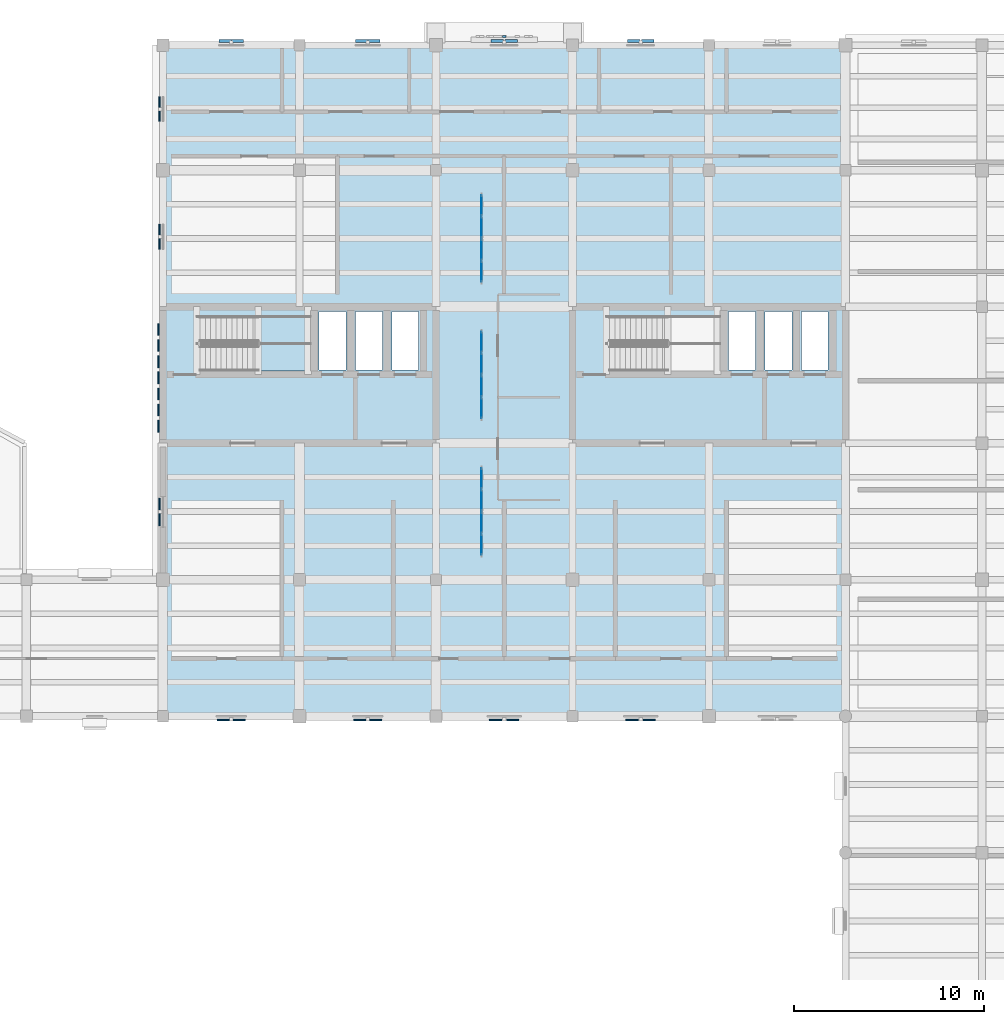
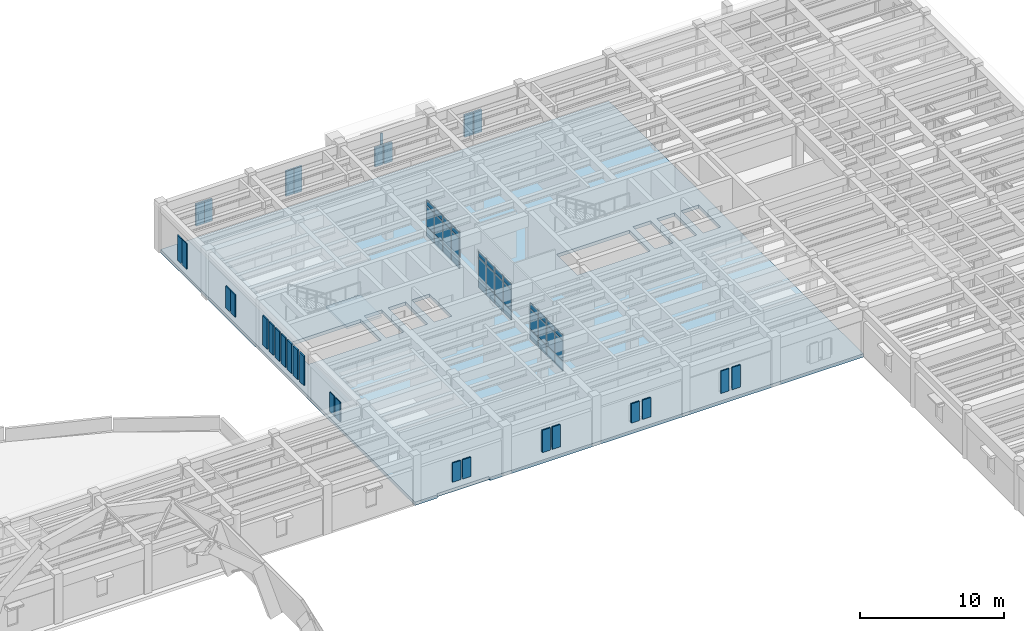
# One storey, part 30 of 66: 66 plates, 2 slabs, 4 elements without a shape of their own.
"""IFC4 building model written with IfcOpenShell, lengths in metres."""

from ifc_helpers import new_model, si_unit, direction, frame, origin, origin_2d, place, context, subcontext, project, spatial, polyline, rectangle, outline, extrude, material, layer, layer_set, type_object, element, aggregate, save


model = new_model("IFC4")

# Units and contexts
model_context = context("Model", 3, precision=1e-05, world=origin(), true_north=direction((0.0, 1.0)))
body_context = subcontext(model_context, "Body", "Model", "MODEL_VIEW")
ifc_project = project(units=[si_unit("LENGTHUNIT", "METRE"), si_unit("AREAUNIT", "SQUARE_METRE"), si_unit("VOLUMEUNIT", "CUBIC_METRE"), si_unit("PLANEANGLEUNIT", "RADIAN"), si_unit("MASSUNIT", "GRAM", prefix="KILO")], contexts=[model_context])

# Site, building, storey
site_placement = place(None, origin())
site = spatial("IfcSite", under=ifc_project, at=site_placement, CompositionType="ELEMENT")
building_placement = place(site_placement, origin())
building = spatial("IfcBuilding", under=site, at=building_placement, Name="Mithqara Police Headquarters", CompositionType="ELEMENT")
storey_placement = place(building_placement, frame((0.0, 0.0, 9.60009765625)))
storey = spatial("IfcBuildingStorey", under=building, at=storey_placement, Name="L02", CompositionType="ELEMENT", Elevation=9.60009765625)

# Curtain wall, plates
ifc_material_1 = material(Name="Bronze anodised aluminium 6063-T6", Category="aluminium")
curtain_wall_type = type_object("IfcCurtainWallType", Name="CURTAIN WALL 4700X3220", PredefinedType="USERDEFINED", material=ifc_material_1)
curtain_wall_1_placement = place(storey_placement, origin())
curtain_wall_1 = element("IfcCurtainWall", 1, at=curtain_wall_1_placement, inside=storey, type_object=curtain_wall_type, Name="L02 Unitised Glazing CW-16 (CW-INT-L02-X17-Y12-0)", ObjectType="UNITISED GLAZING", PredefinedType="USERDEFINED")
ifc_material_2 = material(Name="Spectrally selective double low-e glass", Category="glass")
ifc_layer_1 = layer(ifc_material_2, 0.028076171875, Name="Spectrally selective double low-e glass")
ifc_layer_set_1 = layer_set([ifc_layer_1], Name="Spectrally selective double low-e glass")
plate_type_1 = type_object("IfcPlateType", Name="CWPANEL GLASS28", PredefinedType="CURTAIN_PANEL", material=ifc_layer_set_1)
plate_1_placement = place(storey_placement, frame((125.39990234375, 87.65625, 0.074951171875), z_axis=(0.0, 0.0, 1.0), x_axis=(0.0, 1.0, 0.0)))
plate_1 = element("IfcPlate", 2, at=plate_1_placement, type_object=plate_type_1, Name="CW-16 panel 1.1", PredefinedType="CURTAIN_PANEL", context=body_context, shape_type="SweptSolid", body=[
    extrude(rectangle(XDim=1.0625, YDim=0.028076171875, at=origin_2d()), origin(), (0.0, 0.0, 1.0), 0.78759765625),
])
plate_2_placement = place(storey_placement, frame((125.39990234375, 87.65625, 0.9375), z_axis=(0.0, 0.0, 1.0), x_axis=(0.0, 1.0, 0.0)))
plate_2 = element("IfcPlate", 3, at=plate_2_placement, type_object=plate_type_1, Name="CW-16 panel 1.2", PredefinedType="CURTAIN_PANEL", context=body_context, shape_type="SweptSolid", body=[
    extrude(rectangle(XDim=1.0625, YDim=0.028076171875, at=origin_2d()), origin(), (0.0, 0.0, 1.0), 1.695068359375),
])
plate_3_placement = place(storey_placement, frame((125.39990234375, 87.65625, 2.70751953125), z_axis=(0.0, 0.0, 1.0), x_axis=(0.0, 1.0, 0.0)))
plate_3 = element("IfcPlate", 4, at=plate_3_placement, type_object=plate_type_1, Name="CW-16 panel 1.3", PredefinedType="CURTAIN_PANEL", context=body_context, shape_type="SweptSolid", body=[
    extrude(rectangle(XDim=1.0625, YDim=0.028076171875, at=origin_2d()), origin(), (0.0, 0.0, 1.0), 0.4375),
])
plate_4_placement = place(storey_placement, frame((125.39990234375, 88.8125, 0.074951171875), z_axis=(0.0, 0.0, 1.0), x_axis=(0.0, 1.0, 0.0)))
plate_4 = element("IfcPlate", 5, at=plate_4_placement, type_object=plate_type_1, Name="CW-16 panel 2.1", PredefinedType="CURTAIN_PANEL", context=body_context, shape_type="SweptSolid", body=[
    extrude(rectangle(XDim=1.10009765625, YDim=0.028076171875, at=origin_2d()), origin(), (0.0, 0.0, 1.0), 0.78759765625),
])
plate_5_placement = place(storey_placement, frame((125.39990234375, 88.8125, 0.9375), z_axis=(0.0, 0.0, 1.0), x_axis=(0.0, 1.0, 0.0)))
plate_5 = element("IfcPlate", 6, at=plate_5_placement, type_object=plate_type_1, Name="CW-16 panel 2.2", PredefinedType="CURTAIN_PANEL", context=body_context, shape_type="SweptSolid", body=[
    extrude(rectangle(XDim=1.10009765625, YDim=0.028076171875, at=origin_2d()), origin(), (0.0, 0.0, 1.0), 1.695068359375),
])
plate_6_placement = place(storey_placement, frame((125.39990234375, 88.8125, 2.70751953125), z_axis=(0.0, 0.0, 1.0), x_axis=(0.0, 1.0, 0.0)))
plate_6 = element("IfcPlate", 7, at=plate_6_placement, type_object=plate_type_1, Name="CW-16 panel 2.3", PredefinedType="CURTAIN_PANEL", context=body_context, shape_type="SweptSolid", body=[
    extrude(rectangle(XDim=1.10009765625, YDim=0.028076171875, at=origin_2d()), origin(), (0.0, 0.0, 1.0), 0.4375),
])
plate_7_placement = place(storey_placement, frame((125.39990234375, 89.987548828125, 0.074951171875), z_axis=(0.0, 0.0, 1.0), x_axis=(0.0, 1.0, 0.0)))
plate_7 = element("IfcPlate", 8, at=plate_7_placement, type_object=plate_type_1, Name="CW-16 panel 3.1", PredefinedType="CURTAIN_PANEL", context=body_context, shape_type="SweptSolid", body=[
    extrude(rectangle(XDim=1.10009765625, YDim=0.028076171875, at=origin_2d()), origin(), (0.0, 0.0, 1.0), 0.78759765625),
])
plate_8_placement = place(storey_placement, frame((125.39990234375, 89.987548828125, 0.9375), z_axis=(0.0, 0.0, 1.0), x_axis=(0.0, 1.0, 0.0)))
plate_8 = element("IfcPlate", 9, at=plate_8_placement, type_object=plate_type_1, Name="CW-16 panel 3.2", PredefinedType="CURTAIN_PANEL", context=body_context, shape_type="SweptSolid", body=[
    extrude(rectangle(XDim=1.10009765625, YDim=0.028076171875, at=origin_2d()), origin(), (0.0, 0.0, 1.0), 1.695068359375),
])
plate_9_placement = place(storey_placement, frame((125.39990234375, 89.987548828125, 2.70751953125), z_axis=(0.0, 0.0, 1.0), x_axis=(0.0, 1.0, 0.0)))
plate_9 = element("IfcPlate", 10, at=plate_9_placement, type_object=plate_type_1, Name="CW-16 panel 3.3", PredefinedType="CURTAIN_PANEL", context=body_context, shape_type="SweptSolid", body=[
    extrude(rectangle(XDim=1.10009765625, YDim=0.028076171875, at=origin_2d()), origin(), (0.0, 0.0, 1.0), 0.4375),
])
plate_10_placement = place(storey_placement, frame((125.39990234375, 91.143798828125, 0.074951171875), z_axis=(0.0, 0.0, 1.0), x_axis=(0.0, 1.0, 0.0)))
plate_10 = element("IfcPlate", 11, at=plate_10_placement, type_object=plate_type_1, Name="CW-16 panel 4.1", PredefinedType="CURTAIN_PANEL", context=body_context, shape_type="SweptSolid", body=[
    extrude(rectangle(XDim=1.0625, YDim=0.028076171875, at=origin_2d()), origin(), (0.0, 0.0, 1.0), 0.78759765625),
])
plate_11_placement = place(storey_placement, frame((125.39990234375, 91.143798828125, 0.9375), z_axis=(0.0, 0.0, 1.0), x_axis=(0.0, 1.0, 0.0)))
plate_11 = element("IfcPlate", 12, at=plate_11_placement, type_object=plate_type_1, Name="CW-16 panel 4.2", PredefinedType="CURTAIN_PANEL", context=body_context, shape_type="SweptSolid", body=[
    extrude(rectangle(XDim=1.0625, YDim=0.028076171875, at=origin_2d()), origin(), (0.0, 0.0, 1.0), 1.695068359375),
])
plate_12_placement = place(storey_placement, frame((125.39990234375, 91.143798828125, 2.70751953125), z_axis=(0.0, 0.0, 1.0), x_axis=(0.0, 1.0, 0.0)))
plate_12 = element("IfcPlate", 13, at=plate_12_placement, type_object=plate_type_1, Name="CW-16 panel 4.3", PredefinedType="CURTAIN_PANEL", context=body_context, shape_type="SweptSolid", body=[
    extrude(rectangle(XDim=1.0625, YDim=0.028076171875, at=origin_2d()), origin(), (0.0, 0.0, 1.0), 0.4375),
])
aggregate(curtain_wall_1, [plate_1, plate_2, plate_3, plate_4, plate_5, plate_6, plate_7, plate_8, plate_9, plate_10, plate_11, plate_12])

curtain_wall_2_placement = place(storey_placement, origin())
curtain_wall_2 = element("IfcCurtainWall", 14, at=curtain_wall_2_placement, inside=storey, type_object=curtain_wall_type, Name="L02 Unitised Glazing CW-16 (CW-INT-L02-X17-Y13-0)", ObjectType="UNITISED GLAZING", PredefinedType="USERDEFINED")
plate_13_placement = place(storey_placement, frame((125.39990234375, 94.856201171875, 0.074951171875), z_axis=(0.0, 0.0, 1.0), x_axis=(0.0, 1.0, 0.0)))
plate_13 = element("IfcPlate", 15, at=plate_13_placement, type_object=plate_type_1, Name="CW-16 panel 1.1", PredefinedType="CURTAIN_PANEL", context=body_context, shape_type="SweptSolid", body=[
    extrude(rectangle(XDim=1.0625, YDim=0.028076171875, at=origin_2d()), origin(), (0.0, 0.0, 1.0), 0.78759765625),
])
plate_14_placement = place(storey_placement, frame((125.39990234375, 94.856201171875, 0.9375), z_axis=(0.0, 0.0, 1.0), x_axis=(0.0, 1.0, 0.0)))
plate_14 = element("IfcPlate", 16, at=plate_14_placement, type_object=plate_type_1, Name="CW-16 panel 1.2", PredefinedType="CURTAIN_PANEL", context=body_context, shape_type="SweptSolid", body=[
    extrude(rectangle(XDim=1.0625, YDim=0.028076171875, at=origin_2d()), origin(), (0.0, 0.0, 1.0), 1.695068359375),
])
plate_15_placement = place(storey_placement, frame((125.39990234375, 94.856201171875, 2.70751953125), z_axis=(0.0, 0.0, 1.0), x_axis=(0.0, 1.0, 0.0)))
plate_15 = element("IfcPlate", 17, at=plate_15_placement, type_object=plate_type_1, Name="CW-16 panel 1.3", PredefinedType="CURTAIN_PANEL", context=body_context, shape_type="SweptSolid", body=[
    extrude(rectangle(XDim=1.0625, YDim=0.028076171875, at=origin_2d()), origin(), (0.0, 0.0, 1.0), 0.4375),
])
plate_16_placement = place(storey_placement, frame((125.39990234375, 96.012451171875, 0.074951171875), z_axis=(0.0, 0.0, 1.0), x_axis=(0.0, 1.0, 0.0)))
plate_16 = element("IfcPlate", 18, at=plate_16_placement, type_object=plate_type_1, Name="CW-16 panel 2.1", PredefinedType="CURTAIN_PANEL", context=body_context, shape_type="SweptSolid", body=[
    extrude(rectangle(XDim=1.10009765625, YDim=0.028076171875, at=origin_2d()), origin(), (0.0, 0.0, 1.0), 0.78759765625),
])
plate_17_placement = place(storey_placement, frame((125.39990234375, 96.012451171875, 0.9375), z_axis=(0.0, 0.0, 1.0), x_axis=(0.0, 1.0, 0.0)))
plate_17 = element("IfcPlate", 19, at=plate_17_placement, type_object=plate_type_1, Name="CW-16 panel 2.2", PredefinedType="CURTAIN_PANEL", context=body_context, shape_type="SweptSolid", body=[
    extrude(rectangle(XDim=1.10009765625, YDim=0.028076171875, at=origin_2d()), origin(), (0.0, 0.0, 1.0), 1.695068359375),
])
plate_18_placement = place(storey_placement, frame((125.39990234375, 96.012451171875, 2.70751953125), z_axis=(0.0, 0.0, 1.0), x_axis=(0.0, 1.0, 0.0)))
plate_18 = element("IfcPlate", 20, at=plate_18_placement, type_object=plate_type_1, Name="CW-16 panel 2.3", PredefinedType="CURTAIN_PANEL", context=body_context, shape_type="SweptSolid", body=[
    extrude(rectangle(XDim=1.10009765625, YDim=0.028076171875, at=origin_2d()), origin(), (0.0, 0.0, 1.0), 0.4375),
])
plate_19_placement = place(storey_placement, frame((125.39990234375, 97.1875, 0.074951171875), z_axis=(0.0, 0.0, 1.0), x_axis=(0.0, 1.0, 0.0)))
plate_19 = element("IfcPlate", 21, at=plate_19_placement, type_object=plate_type_1, Name="CW-16 panel 3.1", PredefinedType="CURTAIN_PANEL", context=body_context, shape_type="SweptSolid", body=[
    extrude(rectangle(XDim=1.10009765625, YDim=0.028076171875, at=origin_2d()), origin(), (0.0, 0.0, 1.0), 0.78759765625),
])
plate_20_placement = place(storey_placement, frame((125.39990234375, 97.1875, 0.9375), z_axis=(0.0, 0.0, 1.0), x_axis=(0.0, 1.0, 0.0)))
plate_20 = element("IfcPlate", 22, at=plate_20_placement, type_object=plate_type_1, Name="CW-16 panel 3.2", PredefinedType="CURTAIN_PANEL", context=body_context, shape_type="SweptSolid", body=[
    extrude(rectangle(XDim=1.10009765625, YDim=0.028076171875, at=origin_2d()), origin(), (0.0, 0.0, 1.0), 1.695068359375),
])
plate_21_placement = place(storey_placement, frame((125.39990234375, 97.1875, 2.70751953125), z_axis=(0.0, 0.0, 1.0), x_axis=(0.0, 1.0, 0.0)))
plate_21 = element("IfcPlate", 23, at=plate_21_placement, type_object=plate_type_1, Name="CW-16 panel 3.3", PredefinedType="CURTAIN_PANEL", context=body_context, shape_type="SweptSolid", body=[
    extrude(rectangle(XDim=1.10009765625, YDim=0.028076171875, at=origin_2d()), origin(), (0.0, 0.0, 1.0), 0.4375),
])
plate_22_placement = place(storey_placement, frame((125.39990234375, 98.34375, 0.074951171875), z_axis=(0.0, 0.0, 1.0), x_axis=(0.0, 1.0, 0.0)))
plate_22 = element("IfcPlate", 24, at=plate_22_placement, type_object=plate_type_1, Name="CW-16 panel 4.1", PredefinedType="CURTAIN_PANEL", context=body_context, shape_type="SweptSolid", body=[
    extrude(rectangle(XDim=1.0625, YDim=0.028076171875, at=origin_2d()), origin(), (0.0, 0.0, 1.0), 0.78759765625),
])
plate_23_placement = place(storey_placement, frame((125.39990234375, 98.34375, 0.9375), z_axis=(0.0, 0.0, 1.0), x_axis=(0.0, 1.0, 0.0)))
plate_23 = element("IfcPlate", 25, at=plate_23_placement, type_object=plate_type_1, Name="CW-16 panel 4.2", PredefinedType="CURTAIN_PANEL", context=body_context, shape_type="SweptSolid", body=[
    extrude(rectangle(XDim=1.0625, YDim=0.028076171875, at=origin_2d()), origin(), (0.0, 0.0, 1.0), 1.695068359375),
])
plate_24_placement = place(storey_placement, frame((125.39990234375, 98.34375, 2.70751953125), z_axis=(0.0, 0.0, 1.0), x_axis=(0.0, 1.0, 0.0)))
plate_24 = element("IfcPlate", 26, at=plate_24_placement, type_object=plate_type_1, Name="CW-16 panel 4.3", PredefinedType="CURTAIN_PANEL", context=body_context, shape_type="SweptSolid", body=[
    extrude(rectangle(XDim=1.0625, YDim=0.028076171875, at=origin_2d()), origin(), (0.0, 0.0, 1.0), 0.4375),
])
aggregate(curtain_wall_2, [plate_13, plate_14, plate_15, plate_16, plate_17, plate_18, plate_19, plate_20, plate_21, plate_22, plate_23, plate_24])

curtain_wall_3_placement = place(storey_placement, origin())
curtain_wall_3 = element("IfcCurtainWall", 27, at=curtain_wall_3_placement, inside=storey, type_object=curtain_wall_type, Name="L02 Unitised Glazing CW-16 (CW-INT-L02-X17-Y14-0)", ObjectType="UNITISED GLAZING", PredefinedType="USERDEFINED")
ifc_material_3 = material(Name="Insulated bronze aluminium spandrel panel", Category="aluminium")
ifc_layer_2 = layer(ifc_material_3, 0.048095703125, Name="Insulated bronze aluminium spandrel panel")
ifc_layer_set_2 = layer_set([ifc_layer_2], Name="Insulated bronze aluminium spandrel panel")
plate_type_2 = type_object("IfcPlateType", Name="CWPANEL SPANDREL48", PredefinedType="CURTAIN_PANEL", material=ifc_layer_set_2)
plate_25_placement = place(storey_placement, frame((125.39990234375, 102.05615234375, 0.074951171875), z_axis=(0.0, 0.0, 1.0), x_axis=(0.0, 1.0, 0.0)))
plate_25 = element("IfcPlate", 28, at=plate_25_placement, type_object=plate_type_2, Name="CW-16 panel 1.1", PredefinedType="CURTAIN_PANEL", context=body_context, shape_type="SweptSolid", body=[
    extrude(rectangle(XDim=1.0625, YDim=0.048095703125, at=origin_2d()), origin(), (0.0, 0.0, 1.0), 0.78759765625),
])
plate_26_placement = place(storey_placement, frame((125.39990234375, 102.05615234375, 0.9375), z_axis=(0.0, 0.0, 1.0), x_axis=(0.0, 1.0, 0.0)))
plate_26 = element("IfcPlate", 29, at=plate_26_placement, type_object=plate_type_2, Name="CW-16 panel 1.2", PredefinedType="CURTAIN_PANEL", context=body_context, shape_type="SweptSolid", body=[
    extrude(rectangle(XDim=1.0625, YDim=0.048095703125, at=origin_2d()), origin(), (0.0, 0.0, 1.0), 1.695068359375),
])
plate_27_placement = place(storey_placement, frame((125.39990234375, 102.05615234375, 2.70751953125), z_axis=(0.0, 0.0, 1.0), x_axis=(0.0, 1.0, 0.0)))
plate_27 = element("IfcPlate", 30, at=plate_27_placement, type_object=plate_type_2, Name="CW-16 panel 1.3", PredefinedType="CURTAIN_PANEL", context=body_context, shape_type="SweptSolid", body=[
    extrude(rectangle(XDim=1.0625, YDim=0.048095703125, at=origin_2d()), origin(), (0.0, 0.0, 1.0), 0.4375),
])
plate_28_placement = place(storey_placement, frame((125.39990234375, 103.21240234375, 0.074951171875), z_axis=(0.0, 0.0, 1.0), x_axis=(0.0, 1.0, 0.0)))
plate_28 = element("IfcPlate", 31, at=plate_28_placement, type_object=plate_type_2, Name="CW-16 panel 2.1", PredefinedType="CURTAIN_PANEL", context=body_context, shape_type="SweptSolid", body=[
    extrude(rectangle(XDim=1.10009765625, YDim=0.048095703125, at=origin_2d()), origin(), (0.0, 0.0, 1.0), 0.78759765625),
])
plate_29_placement = place(storey_placement, frame((125.39990234375, 103.21240234375, 0.9375), z_axis=(0.0, 0.0, 1.0), x_axis=(0.0, 1.0, 0.0)))
plate_29 = element("IfcPlate", 32, at=plate_29_placement, type_object=plate_type_2, Name="CW-16 panel 2.2", PredefinedType="CURTAIN_PANEL", context=body_context, shape_type="SweptSolid", body=[
    extrude(rectangle(XDim=1.10009765625, YDim=0.048095703125, at=origin_2d()), origin(), (0.0, 0.0, 1.0), 1.695068359375),
])
plate_30_placement = place(storey_placement, frame((125.39990234375, 103.21240234375, 2.70751953125), z_axis=(0.0, 0.0, 1.0), x_axis=(0.0, 1.0, 0.0)))
plate_30 = element("IfcPlate", 33, at=plate_30_placement, type_object=plate_type_2, Name="CW-16 panel 2.3", PredefinedType="CURTAIN_PANEL", context=body_context, shape_type="SweptSolid", body=[
    extrude(rectangle(XDim=1.10009765625, YDim=0.048095703125, at=origin_2d()), origin(), (0.0, 0.0, 1.0), 0.4375),
])
plate_31_placement = place(storey_placement, frame((125.39990234375, 104.387451171875, 0.074951171875), z_axis=(0.0, 0.0, 1.0), x_axis=(0.0, 1.0, 0.0)))
plate_31 = element("IfcPlate", 34, at=plate_31_placement, type_object=plate_type_2, Name="CW-16 panel 3.1", PredefinedType="CURTAIN_PANEL", context=body_context, shape_type="SweptSolid", body=[
    extrude(rectangle(XDim=1.10009765625, YDim=0.048095703125, at=origin_2d()), origin(), (0.0, 0.0, 1.0), 0.78759765625),
])
plate_32_placement = place(storey_placement, frame((125.39990234375, 104.387451171875, 0.9375), z_axis=(0.0, 0.0, 1.0), x_axis=(0.0, 1.0, 0.0)))
plate_32 = element("IfcPlate", 35, at=plate_32_placement, type_object=plate_type_2, Name="CW-16 panel 3.2", PredefinedType="CURTAIN_PANEL", context=body_context, shape_type="SweptSolid", body=[
    extrude(rectangle(XDim=1.10009765625, YDim=0.048095703125, at=origin_2d()), origin(), (0.0, 0.0, 1.0), 1.695068359375),
])
plate_33_placement = place(storey_placement, frame((125.39990234375, 104.387451171875, 2.70751953125), z_axis=(0.0, 0.0, 1.0), x_axis=(0.0, 1.0, 0.0)))
plate_33 = element("IfcPlate", 36, at=plate_33_placement, type_object=plate_type_2, Name="CW-16 panel 3.3", PredefinedType="CURTAIN_PANEL", context=body_context, shape_type="SweptSolid", body=[
    extrude(rectangle(XDim=1.10009765625, YDim=0.048095703125, at=origin_2d()), origin(), (0.0, 0.0, 1.0), 0.4375),
])
plate_34_placement = place(storey_placement, frame((125.39990234375, 105.543701171875, 0.074951171875), z_axis=(0.0, 0.0, 1.0), x_axis=(0.0, 1.0, 0.0)))
plate_34 = element("IfcPlate", 37, at=plate_34_placement, type_object=plate_type_2, Name="CW-16 panel 4.1", PredefinedType="CURTAIN_PANEL", context=body_context, shape_type="SweptSolid", body=[
    extrude(rectangle(XDim=1.0625, YDim=0.048095703125, at=origin_2d()), origin(), (0.0, 0.0, 1.0), 0.78759765625),
])
plate_35_placement = place(storey_placement, frame((125.39990234375, 105.543701171875, 0.9375), z_axis=(0.0, 0.0, 1.0), x_axis=(0.0, 1.0, 0.0)))
plate_35 = element("IfcPlate", 38, at=plate_35_placement, type_object=plate_type_2, Name="CW-16 panel 4.2", PredefinedType="CURTAIN_PANEL", context=body_context, shape_type="SweptSolid", body=[
    extrude(rectangle(XDim=1.0625, YDim=0.048095703125, at=origin_2d()), origin(), (0.0, 0.0, 1.0), 1.695068359375),
])
plate_36_placement = place(storey_placement, frame((125.39990234375, 105.543701171875, 2.70751953125), z_axis=(0.0, 0.0, 1.0), x_axis=(0.0, 1.0, 0.0)))
plate_36 = element("IfcPlate", 39, at=plate_36_placement, type_object=plate_type_2, Name="CW-16 panel 4.3", PredefinedType="CURTAIN_PANEL", context=body_context, shape_type="SweptSolid", body=[
    extrude(rectangle(XDim=1.0625, YDim=0.048095703125, at=origin_2d()), origin(), (0.0, 0.0, 1.0), 0.4375),
])
aggregate(curtain_wall_3, [plate_25, plate_26, plate_27, plate_28, plate_29, plate_30, plate_31, plate_32, plate_33, plate_34, plate_35, plate_36])

# Slab
ifc_material_4 = material(Name="Concrete C40/50", Category="concrete")
ifc_layer_3 = layer(ifc_material_4, 0.280029296875, Name="Concrete C40/50")
ifc_layer_set_3 = layer_set([ifc_layer_3], Name="Concrete C40/50")
slab_type_1 = type_object("IfcSlabType", Name="FLOOR SLAB 280", PredefinedType="FLOOR", material=ifc_layer_set_3)
slab_1_placement = place(storey_placement, frame((0.0, 0.0, -0.280029296875)))
element("IfcSlab", 40, at=slab_1_placement, inside=storey, type_object=slab_type_1, Name="L02 Structural Slab L02-V1A", PredefinedType="FLOOR", context=body_context, shape_type="SweptSolid", body=[
    extrude(outline(polyline([(108.60009765625, 114.0), (144.60009765625, 114.0), (144.60009765625, 78.60009765625), (114.60009765625, 78.60009765625), (114.60009765625, 78.739990234375), (110.39990234375, 78.739990234375), (110.39990234375, 78.60009765625), (108.60009765625, 78.60009765625), (108.60009765625, 114.0)]), holes=[polyline([(110.550048828125, 96.800048828125), (116.39990234375, 96.800048828125), (116.39990234375, 99.699951171875), (110.550048828125, 99.699951171875), (110.550048828125, 96.800048828125)]), polyline([(132.14990234375, 96.800048828125), (138.0, 96.800048828125), (138.0, 99.699951171875), (132.14990234375, 99.699951171875), (132.14990234375, 96.800048828125)]), polyline([(118.25, 96.8701171875), (118.25, 99.949951171875), (116.830078125, 99.949951171875), (116.830078125, 96.8701171875), (118.25, 96.8701171875)]), polyline([(120.169921875, 96.8701171875), (120.169921875, 99.949951171875), (118.75, 99.949951171875), (118.75, 96.8701171875), (120.169921875, 96.8701171875)]), polyline([(122.090087890625, 96.8701171875), (122.090087890625, 99.949951171875), (120.669921875, 99.949951171875), (120.669921875, 96.8701171875), (122.090087890625, 96.8701171875)]), polyline([(139.85009765625, 96.8701171875), (139.85009765625, 99.949951171875), (138.429931640625, 99.949951171875), (138.429931640625, 96.8701171875), (139.85009765625, 96.8701171875)]), polyline([(141.77001953125, 96.8701171875), (141.77001953125, 99.949951171875), (140.35009765625, 99.949951171875), (140.35009765625, 96.8701171875), (141.77001953125, 96.8701171875)]), polyline([(143.68994140625, 96.8701171875), (143.68994140625, 99.949951171875), (142.27001953125, 99.949951171875), (142.27001953125, 96.8701171875), (143.68994140625, 96.8701171875)])]), origin(), (0.0, 0.0, 1.0), 0.280029296875),
])

# Stair, slab
stair_type = type_object("IfcStairType", Name="STAIR ST 01-R24", PredefinedType="HALF_TURN_STAIR", material=ifc_material_4)
stair_placement = place(storey_placement, origin())
stair = element("IfcStair", 41, at=stair_placement, inside=storey, type_object=stair_type, Name="L02 Core C1 Command West Exit Stair", PredefinedType="HALF_TURN_STAIR")
ifc_layer_4 = layer(ifc_material_4, 0.199951171875, Name="Concrete C40/50")
ifc_layer_set_4 = layer_set([ifc_layer_4], Name="Concrete C40/50")
slab_type_2 = type_object("IfcSlabType", Name="STAIR LANDING 200", PredefinedType="LANDING", material=ifc_layer_set_4)
slab_2_placement = place(storey_placement, frame((0.0, 0.0, 1.89990234375)))
slab_2 = element("IfcSlab", 42, at=slab_2_placement, type_object=slab_type_2, Name="ST-01 landing 1", PredefinedType="LANDING", context=body_context, shape_type="SweptSolid", body=[
    extrude(outline(polyline([(113.6298828125, 96.800048828125), (116.39990234375, 96.800048828125), (116.39990234375, 99.699951171875), (113.6298828125, 99.699951171875), (113.6298828125, 96.800048828125)])), origin(), (0.0, 0.0, 1.0), 0.199951171875),
])
aggregate(stair, [slab_2])

# Plates
ifc_material_5 = material(Name="Limestone ashlar masonry, 45 MPa", Category="masonry")
ifc_layer_5 = layer(ifc_material_5, 0.10009765625, Name="Limestone ashlar masonry, 45 MPa")
ifc_layer_set_5 = layer_set([ifc_layer_5], Name="Limestone ashlar masonry, 45 MPa")
plate_type_3 = type_object("IfcPlateType", Name="STONE SCREEN 100", PredefinedType="USERDEFINED", material=ifc_layer_set_5)
for number, where, z_axis, x_axis, name in (
    (43, (111.800048828125, 78.39990234375, 0.830078125), (0.0, 0.0, 1.0), (1.0, 0.0, 0.0), "L02 Pierced Limestone Vertical-Slit Panel 103"),
    (44, (112.60009765625, 78.39990234375, 0.830078125), (0.0, 0.0, 1.0), (1.0, 0.0, 0.0), "L02 Pierced Limestone Vertical-Slit Panel 104"),
):
    element("IfcPlate", number, at=place(storey_placement, frame(where, z_axis=z_axis, x_axis=x_axis)), inside=storey, type_object=plate_type_3, Name=name, ObjectType="STONE SCREEN", PredefinedType="USERDEFINED", context=body_context, shape_type="SweptSolid", body=[
        extrude(rectangle(XDim=0.656005859375, YDim=0.10009765625, at=origin_2d()), origin(), (0.0, 0.0, 1.0), 1.639892578125),
    ])
for number, where, z_axis, x_axis, name in (
    (45, (119.0, 78.39990234375, 0.830078125), (0.0, 0.0, 1.0), (1.0, 0.0, 0.0), "L02 Pierced Limestone Vertical-Slit Panel 105"),
    (46, (119.800048828125, 78.39990234375, 0.830078125), (0.0, 0.0, 1.0), (1.0, 0.0, 0.0), "L02 Pierced Limestone Vertical-Slit Panel 106"),
):
    element("IfcPlate", number, at=place(storey_placement, frame(where, z_axis=z_axis, x_axis=x_axis)), inside=storey, type_object=plate_type_3, Name=name, ObjectType="STONE SCREEN", PredefinedType="USERDEFINED", context=body_context, shape_type="SweptSolid", body=[
        extrude(rectangle(XDim=0.656005859375, YDim=0.10009765625, at=origin_2d()), origin(), (0.0, 0.0, 1.0), 1.889892578125),
    ])
for number, where, z_axis, x_axis, name in (
    (47, (126.14990234375, 78.39990234375, 0.830078125), (0.0, 0.0, 1.0), (1.0, 0.0, 0.0), "L02 Pierced Limestone Vertical-Slit Panel 107"),
    (48, (127.050048828125, 78.39990234375, 0.830078125), (0.0, 0.0, 1.0), (1.0, 0.0, 0.0), "L02 Pierced Limestone Vertical-Slit Panel 108"),
):
    element("IfcPlate", number, at=place(storey_placement, frame(where, z_axis=z_axis, x_axis=x_axis)), inside=storey, type_object=plate_type_3, Name=name, ObjectType="STONE SCREEN", PredefinedType="USERDEFINED", context=body_context, shape_type="SweptSolid", body=[
        extrude(rectangle(XDim=0.656005859375, YDim=0.10009765625, at=origin_2d()), origin(), (0.0, 0.0, 1.0), 1.639892578125),
    ])
for number, where, z_axis, x_axis, name in (
    (49, (133.35009765625, 78.39990234375, 0.830078125), (0.0, 0.0, 1.0), (1.0, 0.0, 0.0), "L02 Pierced Limestone Vertical-Slit Panel 109"),
    (50, (134.25, 78.39990234375, 0.830078125), (0.0, 0.0, 1.0), (1.0, 0.0, 0.0), "L02 Pierced Limestone Vertical-Slit Panel 110"),
):
    element("IfcPlate", number, at=place(storey_placement, frame(where, z_axis=z_axis, x_axis=x_axis)), inside=storey, type_object=plate_type_3, Name=name, ObjectType="STONE SCREEN", PredefinedType="USERDEFINED", context=body_context, shape_type="SweptSolid", body=[
        extrude(rectangle(XDim=0.656005859375, YDim=0.10009765625, at=origin_2d()), origin(), (0.0, 0.0, 1.0), 1.889892578125),
    ])
for number, where, z_axis, x_axis, name in (
    (51, (108.364990234375, 93.89990234375, 0.89990234375), (0.0, 0.0, 1.0), (0.0, 1.0, 0.0), "L02 Core C1 Pierced Vertical-Slit Screen 1"),
    (52, (108.364990234375, 94.75, 0.89990234375), (0.0, 0.0, 1.0), (0.0, 1.0, 0.0), "L02 Core C1 Pierced Vertical-Slit Screen 2"),
    (53, (108.364990234375, 95.60009765625, 0.89990234375), (0.0, 0.0, 1.0), (0.0, 1.0, 0.0), "L02 Core C1 Pierced Vertical-Slit Screen 3"),
    (54, (108.364990234375, 96.449951171875, 0.89990234375), (0.0, 0.0, 1.0), (0.0, 1.0, 0.0), "L02 Core C1 Pierced Vertical-Slit Screen 4"),
    (55, (108.364990234375, 97.300048828125, 0.89990234375), (0.0, 0.0, 1.0), (0.0, 1.0, 0.0), "L02 Core C1 Pierced Vertical-Slit Screen 5"),
    (56, (108.364990234375, 98.14990234375, 0.89990234375), (0.0, 0.0, 1.0), (0.0, 1.0, 0.0), "L02 Core C1 Pierced Vertical-Slit Screen 6"),
    (57, (108.364990234375, 99.0, 0.89990234375), (0.0, 0.0, 1.0), (0.0, 1.0, 0.0), "L02 Core C1 Pierced Vertical-Slit Screen 7"),
):
    element("IfcPlate", number, at=place(storey_placement, frame(where, z_axis=z_axis, x_axis=x_axis)), inside=storey, type_object=plate_type_3, Name=name, ObjectType="STONE SCREEN", PredefinedType="USERDEFINED", context=body_context, shape_type="SweptSolid", body=[
        extrude(rectangle(XDim=0.6201171875, YDim=0.10009765625, at=origin_2d()), origin(), (0.0, 0.0, 1.0), 2.5),
    ])
ifc_layer_6 = layer(ifc_material_5, 0.1201171875, Name="Limestone ashlar masonry, 45 MPa")
ifc_layer_set_6 = layer_set([ifc_layer_6], Name="Limestone ashlar masonry, 45 MPa")
plate_type_4 = type_object("IfcPlateType", Name="STONE SCREEN 120", PredefinedType="USERDEFINED", material=ifc_layer_set_6)
plate_37_placement = place(storey_placement, frame((126.60009765625, 114.4599609375, 2.054931640625), z_axis=(0.0, 0.0, 1.0), x_axis=(1.0, 0.0, 0.0)))
element("IfcPlate", 58, at=plate_37_placement, inside=storey, type_object=plate_type_4, Name="Portal Clock Minute Hand", ObjectType="STONE SCREEN", PredefinedType="USERDEFINED", context=body_context, shape_type="SweptSolid", body=[
    extrude(rectangle(XDim=0.179931640625, YDim=0.1201171875, at=origin_2d()), origin(), (0.0, 0.0, 1.0), 1.25),
])
ifc_layer_7 = layer(ifc_material_5, 0.139892578125, Name="Limestone ashlar masonry, 45 MPa")
ifc_layer_set_7 = layer_set([ifc_layer_7], Name="Limestone ashlar masonry, 45 MPa")
plate_type_5 = type_object("IfcPlateType", Name="STONE SCREEN 140", PredefinedType="USERDEFINED", material=ifc_layer_set_7)
for number, where, z_axis, x_axis, name in (
    (59, (112.52490234375, 114.219970703125, 0.830078125), (0.0, 0.0, 1.0), (1.0, 0.0, 0.0), "L02 Pierced Limestone Vertical-Slit Panel 87"),
    (60, (111.875, 114.219970703125, 0.830078125), (0.0, 0.0, 1.0), (1.0, 0.0, 0.0), "L02 Pierced Limestone Vertical-Slit Panel 88"),
):
    element("IfcPlate", number, at=place(storey_placement, frame(where, z_axis=z_axis, x_axis=x_axis)), inside=storey, type_object=plate_type_5, Name=name, ObjectType="STONE SCREEN", PredefinedType="USERDEFINED", context=body_context, shape_type="SweptSolid", body=[
        extrude(rectangle(XDim=0.656005859375, YDim=0.139892578125, at=origin_2d()), origin(), (0.0, 0.0, 1.0), 1.889892578125),
    ])
for number, where, z_axis, x_axis, name in (
    (61, (119.72509765625, 114.219970703125, 0.830078125), (0.0, 0.0, 1.0), (1.0, 0.0, 0.0), "L02 Pierced Limestone Vertical-Slit Panel 89"),
    (62, (119.074951171875, 114.219970703125, 0.830078125), (0.0, 0.0, 1.0), (1.0, 0.0, 0.0), "L02 Pierced Limestone Vertical-Slit Panel 90"),
):
    element("IfcPlate", number, at=place(storey_placement, frame(where, z_axis=z_axis, x_axis=x_axis)), inside=storey, type_object=plate_type_5, Name=name, ObjectType="STONE SCREEN", PredefinedType="USERDEFINED", context=body_context, shape_type="SweptSolid", body=[
        extrude(rectangle(XDim=0.656005859375, YDim=0.139892578125, at=origin_2d()), origin(), (0.0, 0.0, 1.0), 2.139892578125),
    ])
for number, where, z_axis, x_axis, name in (
    (63, (126.96240234375, 114.219970703125, 0.830078125), (0.0, 0.0, 1.0), (1.0, 0.0, 0.0), "L02 Pierced Limestone Vertical-Slit Panel 91"),
    (64, (126.237548828125, 114.219970703125, 0.830078125), (0.0, 0.0, 1.0), (1.0, 0.0, 0.0), "L02 Pierced Limestone Vertical-Slit Panel 92"),
):
    element("IfcPlate", number, at=place(storey_placement, frame(where, z_axis=z_axis, x_axis=x_axis)), inside=storey, type_object=plate_type_5, Name=name, ObjectType="STONE SCREEN", PredefinedType="USERDEFINED", context=body_context, shape_type="SweptSolid", body=[
        extrude(rectangle(XDim=0.656005859375, YDim=0.139892578125, at=origin_2d()), origin(), (0.0, 0.0, 1.0), 1.639892578125),
    ])
for number, where, z_axis, x_axis, name in (
    (65, (134.16259765625, 114.219970703125, 0.830078125), (0.0, 0.0, 1.0), (1.0, 0.0, 0.0), "L02 Pierced Limestone Vertical-Slit Panel 93"),
    (66, (133.4375, 114.219970703125, 0.830078125), (0.0, 0.0, 1.0), (1.0, 0.0, 0.0), "L02 Pierced Limestone Vertical-Slit Panel 94"),
):
    element("IfcPlate", number, at=place(storey_placement, frame(where, z_axis=z_axis, x_axis=x_axis)), inside=storey, type_object=plate_type_5, Name=name, ObjectType="STONE SCREEN", PredefinedType="USERDEFINED", context=body_context, shape_type="SweptSolid", body=[
        extrude(rectangle(XDim=0.656005859375, YDim=0.139892578125, at=origin_2d()), origin(), (0.0, 0.0, 1.0), 1.889892578125),
    ])
ifc_layer_8 = layer(ifc_material_5, 0.080078125, Name="Limestone ashlar masonry, 45 MPa")
ifc_layer_set_8 = layer_set([ifc_layer_8], Name="Limestone ashlar masonry, 45 MPa")
plate_type_6 = type_object("IfcPlateType", Name="STONE SCREEN 80", PredefinedType="USERDEFINED", material=ifc_layer_set_8)
for number, where, z_axis, x_axis, name in (
    (67, (108.409912109375, 104.219970703125, 0.830078125), (0.0, 0.0, 1.0), (0.0, 1.0, 0.0), "L02 Pierced Limestone Vertical-Slit Panel 97"),
    (68, (108.409912109375, 103.570068359375, 0.830078125), (0.0, 0.0, 1.0), (0.0, 1.0, 0.0), "L02 Pierced Limestone Vertical-Slit Panel 98"),
):
    element("IfcPlate", number, at=place(storey_placement, frame(where, z_axis=z_axis, x_axis=x_axis)), inside=storey, type_object=plate_type_6, Name=name, ObjectType="STONE SCREEN", PredefinedType="USERDEFINED", context=body_context, shape_type="SweptSolid", body=[
        extrude(rectangle(XDim=0.656005859375, YDim=0.080078125, at=origin_2d()), origin(), (0.0, 0.0, 1.0), 1.889892578125),
    ])
for number, where, z_axis, x_axis, name in (
    (69, (108.409912109375, 110.949951171875, 0.830078125), (0.0, 0.0, 1.0), (0.0, 1.0, 0.0), "L02 Pierced Limestone Vertical-Slit Panel 99"),
    (70, (108.409912109375, 110.300048828125, 0.830078125), (0.0, 0.0, 1.0), (0.0, 1.0, 0.0), "L02 Pierced Limestone Vertical-Slit Panel 100"),
):
    element("IfcPlate", number, at=place(storey_placement, frame(where, z_axis=z_axis, x_axis=x_axis)), inside=storey, type_object=plate_type_6, Name=name, ObjectType="STONE SCREEN", PredefinedType="USERDEFINED", context=body_context, shape_type="SweptSolid", body=[
        extrude(rectangle(XDim=0.656005859375, YDim=0.080078125, at=origin_2d()), origin(), (0.0, 0.0, 1.0), 2.139892578125),
    ])
for number, where, z_axis, x_axis, name in (
    (71, (108.409912109375, 89.780029296875, 0.830078125), (0.0, 0.0, 1.0), (0.0, 1.0, 0.0), "L02 Pierced Limestone Vertical-Slit Panel 101"),
    (72, (108.409912109375, 88.97998046875, 0.830078125), (0.0, 0.0, 1.0), (0.0, 1.0, 0.0), "L02 Pierced Limestone Vertical-Slit Panel 102"),
):
    element("IfcPlate", number, at=place(storey_placement, frame(where, z_axis=z_axis, x_axis=x_axis)), inside=storey, type_object=plate_type_6, Name=name, ObjectType="STONE SCREEN", PredefinedType="USERDEFINED", context=body_context, shape_type="SweptSolid", body=[
        extrude(rectangle(XDim=0.656005859375, YDim=0.080078125, at=origin_2d()), origin(), (0.0, 0.0, 1.0), 1.639892578125),
    ])

save(model, "model.ifc")
